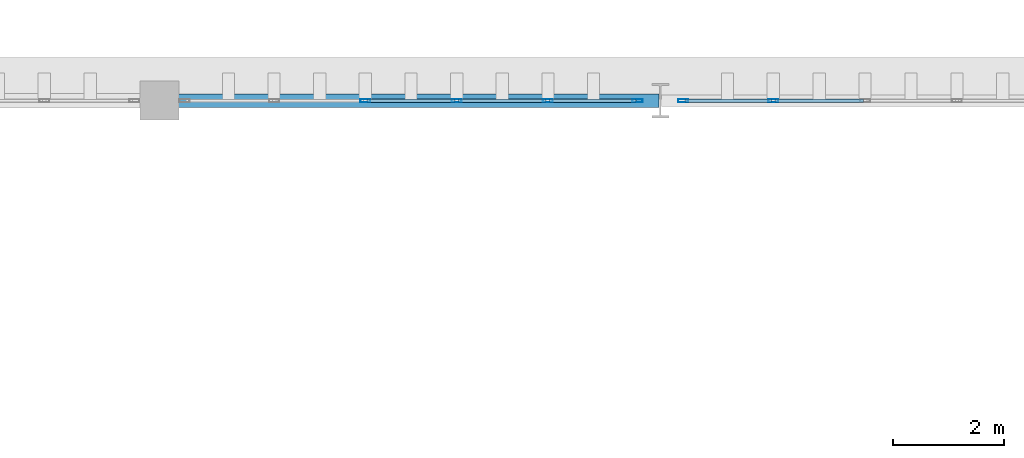
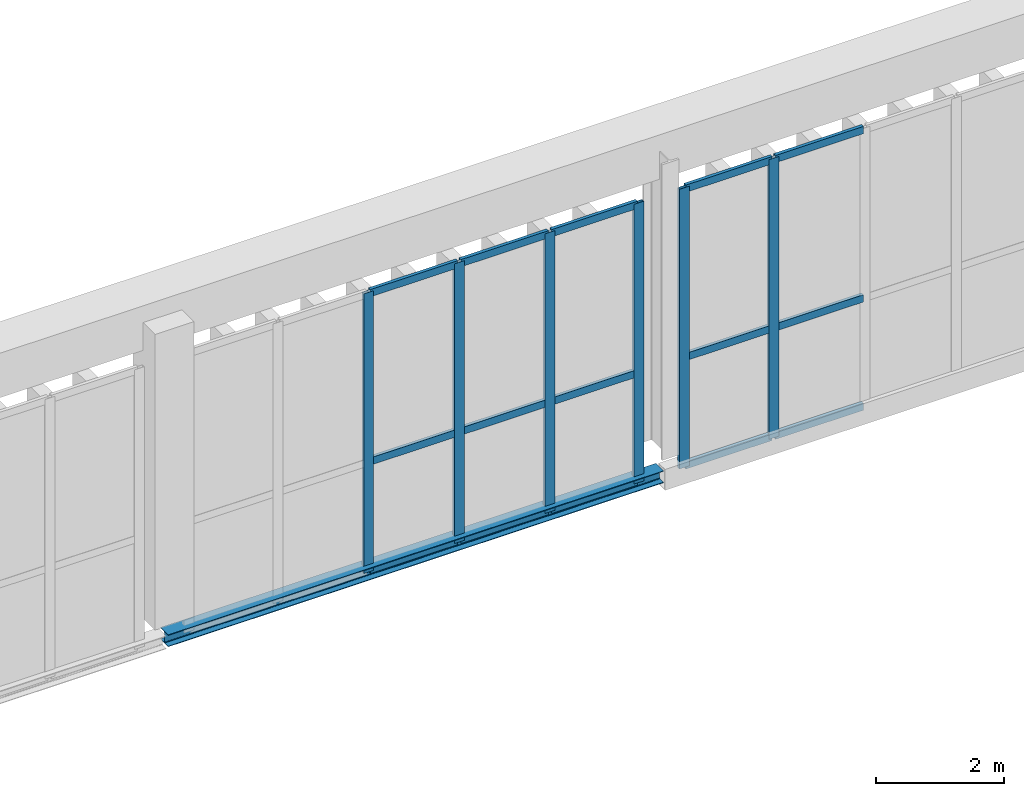
# One storey, part 175 of 237: 21 members, 1 beam, 2 elements without a shape of their own.
"""IFC4 building model written with IfcOpenShell, lengths in metres."""

from ifc_helpers import new_model, si_unit, direction, frame, origin, origin_2d, place, context, subcontext, project, spatial, hollow_rectangle, i_section, extrude, material, layer, layer_set, material_profile, profile_set, type_object, element, aggregate, save


model = new_model("IFC4")

# Units and contexts
model_context = context("Model", 3, precision=1e-05, world=origin(), true_north=direction((0.0, 1.0)))
body_context = subcontext(model_context, "Body", "Model", "MODEL_VIEW")
ifc_project = project(units=[si_unit("LENGTHUNIT", "METRE"), si_unit("AREAUNIT", "SQUARE_METRE"), si_unit("VOLUMEUNIT", "CUBIC_METRE"), si_unit("PLANEANGLEUNIT", "RADIAN"), si_unit("MASSUNIT", "GRAM", prefix="KILO")], contexts=[model_context])

# Site, building, storey
site_placement = place(None, origin())
site = spatial("IfcSite", under=ifc_project, at=site_placement, CompositionType="ELEMENT")
building_placement = place(site_placement, origin())
building = spatial("IfcBuilding", under=site, at=building_placement, Name="Barlavento Convention Centre", CompositionType="ELEMENT")
storey_placement = place(building_placement, frame((0.0, 0.0, 12.0)))
storey = spatial("IfcBuildingStorey", under=building, at=storey_placement, Name="L02", CompositionType="ELEMENT", Elevation=12.0)

# Curtain wall, members
ifc_material_1 = material(Name="Powder-coated aluminium and Low-E glass", Category="aluminium")
ifc_layer = layer(ifc_material_1, 0.18505859375)
ifc_layer_set = layer_set([ifc_layer], Name="ARC-CW-EXH-L02")
curtain_wall_type = type_object("IfcCurtainWallType", Name="ARC-CW-EXH-L02", PredefinedType="NOTDEFINED", material=ifc_layer_set)
curtain_wall_1_placement = place(storey_placement, origin())
curtain_wall_1 = element("IfcCurtainWall", 1, at=curtain_wall_1_placement, inside=storey, type_object=curtain_wall_type, Name="L02 unitised curtain wall CW05", PredefinedType="NOTDEFINED")
ifc_material_2 = material(Name="Powder-coated aluminium", Category="aluminium")
ifc_material_profile_1 = material_profile(ifc_material_2, hollow_rectangle(XDim=0.06005859375, YDim=0.179931640625, WallThickness=0.0048828125, at=origin_2d()), Name="AL-MULL 60x180x5")
ifc_profile_set_1 = profile_set([ifc_material_profile_1], Name="Powder-coated aluminium")
member_type_1 = type_object("IfcMemberType", Name="ARC-CWM-60X180", PredefinedType="MULLION", material=ifc_profile_set_1)
member_1_placement = place(storey_placement, frame((84.699951171875, 135.0, -0.5), z_axis=(0.0, 0.0, 1.0), x_axis=(0.0, 1.0, 0.0)))
member_1 = element("IfcMember", 2, at=member_1_placement, type_object=member_type_1, Name="CW05 mullion 3", PredefinedType="MULLION", context=body_context, shape_type="SweptSolid", body=[
    extrude(hollow_rectangle(XDim=0.06005859375, YDim=0.179931640625, WallThickness=0.0048828125, at=origin_2d()), origin(), (0.0, 0.0, 1.0), 5.35009765625),
])
member_2_placement = place(storey_placement, frame((86.340087890625, 135.0, -0.5), z_axis=(0.0, 0.0, 1.0), x_axis=(0.0, 1.0, 0.0)))
member_2 = element("IfcMember", 3, at=member_2_placement, type_object=member_type_1, Name="CW05 mullion 4", PredefinedType="MULLION", context=body_context, shape_type="SweptSolid", body=[
    extrude(hollow_rectangle(XDim=0.06005859375, YDim=0.179931640625, WallThickness=0.0048828125, at=origin_2d()), origin(), (0.0, 0.0, 1.0), 5.35009765625),
])
member_3_placement = place(storey_placement, frame((87.97998046875, 135.0, -0.5), z_axis=(0.0, 0.0, 1.0), x_axis=(0.0, 1.0, 0.0)))
member_3 = element("IfcMember", 4, at=member_3_placement, type_object=member_type_1, Name="CW05 mullion 5", PredefinedType="MULLION", context=body_context, shape_type="SweptSolid", body=[
    extrude(hollow_rectangle(XDim=0.06005859375, YDim=0.179931640625, WallThickness=0.0048828125, at=origin_2d()), origin(), (0.0, 0.0, 1.0), 5.35009765625),
])
member_4_placement = place(storey_placement, frame((89.590087890625, 135.0, -0.5), z_axis=(0.0, 0.0, 1.0), x_axis=(0.0, 1.0, 0.0)))
member_4 = element("IfcMember", 5, at=member_4_placement, type_object=member_type_1, Name="CW05 mullion 6", PredefinedType="MULLION", context=body_context, shape_type="SweptSolid", body=[
    extrude(hollow_rectangle(XDim=0.06005859375, YDim=0.179931640625, WallThickness=0.0048828125, at=origin_2d()), origin(), (0.0, 0.0, 1.0), 5.35009765625),
])

curtain_wall_2_placement = place(storey_placement, origin())
curtain_wall_2 = element("IfcCurtainWall", 6, at=curtain_wall_2_placement, inside=storey, type_object=curtain_wall_type, Name="L02 unitised curtain wall CW05", PredefinedType="NOTDEFINED")
member_5_placement = place(storey_placement, frame((90.409912109375, 135.0, -0.5), z_axis=(0.0, 0.0, 1.0), x_axis=(0.0, 1.0, 0.0)))
member_5 = element("IfcMember", 7, at=member_5_placement, type_object=member_type_1, Name="CW05 mullion 1", PredefinedType="MULLION", context=body_context, shape_type="SweptSolid", body=[
    extrude(hollow_rectangle(XDim=0.06005859375, YDim=0.179931640625, WallThickness=0.0048828125, at=origin_2d()), origin(), (0.0, 0.0, 1.0), 5.35009765625),
])
member_6_placement = place(storey_placement, frame((92.030029296875, 135.0, -0.5), z_axis=(0.0, 0.0, 1.0), x_axis=(0.0, 1.0, 0.0)))
member_6 = element("IfcMember", 8, at=member_6_placement, type_object=member_type_1, Name="CW05 mullion 2", PredefinedType="MULLION", context=body_context, shape_type="SweptSolid", body=[
    extrude(hollow_rectangle(XDim=0.06005859375, YDim=0.179931640625, WallThickness=0.0048828125, at=origin_2d()), origin(), (0.0, 0.0, 1.0), 5.35009765625),
])

# Member
ifc_material_profile_2 = material_profile(ifc_material_2, hollow_rectangle(XDim=0.06005859375, YDim=0.139892578125, WallThickness=0.00390625, at=origin_2d()), Name="AL-TRAN 60x140x4")
ifc_profile_set_2 = profile_set([ifc_material_profile_2], Name="Powder-coated aluminium")
member_type_2 = type_object("IfcMemberType", Name="ARC-CWT-60X140", PredefinedType="USERDEFINED", material=ifc_profile_set_2)
member_7_placement = place(storey_placement, frame((84.72998046875, 135.0, -0.469970703125), z_axis=(1.0, 0.0, 0.0), x_axis=(0.0, 1.0, 0.0)))
member_7 = element("IfcMember", 9, at=member_7_placement, type_object=member_type_2, Name="CW05 transom 3.1", ObjectType="TRANSOM", PredefinedType="USERDEFINED", context=body_context, shape_type="SweptSolid", body=[
    extrude(hollow_rectangle(XDim=0.06005859375, YDim=0.139892578125, WallThickness=0.00390625, at=origin_2d()), origin(), (0.0, 0.0, 1.0), 1.580078125),
])

member_8_placement = place(storey_placement, frame((84.72998046875, 135.0, 1.60009765625), z_axis=(1.0, 0.0, 0.0), x_axis=(0.0, 1.0, 0.0)))
member_8 = element("IfcMember", 10, at=member_8_placement, type_object=member_type_2, Name="CW05 transom 3.2", ObjectType="TRANSOM", PredefinedType="USERDEFINED", context=body_context, shape_type="SweptSolid", body=[
    extrude(hollow_rectangle(XDim=0.06005859375, YDim=0.139892578125, WallThickness=0.00390625, at=origin_2d()), origin(), (0.0, 0.0, 1.0), 1.580078125),
])

member_9_placement = place(storey_placement, frame((84.72998046875, 135.0, 4.820068359375), z_axis=(1.0, 0.0, 0.0), x_axis=(0.0, 1.0, 0.0)))
member_9 = element("IfcMember", 11, at=member_9_placement, type_object=member_type_2, Name="CW05 transom 3.3", ObjectType="TRANSOM", PredefinedType="USERDEFINED", context=body_context, shape_type="SweptSolid", body=[
    extrude(hollow_rectangle(XDim=0.06005859375, YDim=0.139892578125, WallThickness=0.00390625, at=origin_2d()), origin(), (0.0, 0.0, 1.0), 1.580078125),
])

member_10_placement = place(storey_placement, frame((86.3701171875, 135.0, -0.469970703125), z_axis=(1.0, 0.0, 0.0), x_axis=(0.0, 1.0, 0.0)))
member_10 = element("IfcMember", 12, at=member_10_placement, type_object=member_type_2, Name="CW05 transom 4.1", ObjectType="TRANSOM", PredefinedType="USERDEFINED", context=body_context, shape_type="SweptSolid", body=[
    extrude(hollow_rectangle(XDim=0.06005859375, YDim=0.139892578125, WallThickness=0.00390625, at=origin_2d()), origin(), (0.0, 0.0, 1.0), 1.579833984375),
])

member_11_placement = place(storey_placement, frame((86.3701171875, 135.0, 1.60009765625), z_axis=(1.0, 0.0, 0.0), x_axis=(0.0, 1.0, 0.0)))
member_11 = element("IfcMember", 13, at=member_11_placement, type_object=member_type_2, Name="CW05 transom 4.2", ObjectType="TRANSOM", PredefinedType="USERDEFINED", context=body_context, shape_type="SweptSolid", body=[
    extrude(hollow_rectangle(XDim=0.06005859375, YDim=0.139892578125, WallThickness=0.00390625, at=origin_2d()), origin(), (0.0, 0.0, 1.0), 1.579833984375),
])

member_12_placement = place(storey_placement, frame((86.3701171875, 135.0, 4.820068359375), z_axis=(1.0, 0.0, 0.0), x_axis=(0.0, 1.0, 0.0)))
member_12 = element("IfcMember", 14, at=member_12_placement, type_object=member_type_2, Name="CW05 transom 4.3", ObjectType="TRANSOM", PredefinedType="USERDEFINED", context=body_context, shape_type="SweptSolid", body=[
    extrude(hollow_rectangle(XDim=0.06005859375, YDim=0.139892578125, WallThickness=0.00390625, at=origin_2d()), origin(), (0.0, 0.0, 1.0), 1.579833984375),
])

member_13_placement = place(storey_placement, frame((88.010009765625, 135.0, -0.469970703125), z_axis=(1.0, 0.0, 0.0), x_axis=(0.0, 1.0, 0.0)))
member_13 = element("IfcMember", 15, at=member_13_placement, type_object=member_type_2, Name="CW05 transom 5.1", ObjectType="TRANSOM", PredefinedType="USERDEFINED", context=body_context, shape_type="SweptSolid", body=[
    extrude(hollow_rectangle(XDim=0.06005859375, YDim=0.139892578125, WallThickness=0.00390625, at=origin_2d()), origin(), (0.0, 0.0, 1.0), 1.550048828125),
])

member_14_placement = place(storey_placement, frame((88.010009765625, 135.0, 1.60009765625), z_axis=(1.0, 0.0, 0.0), x_axis=(0.0, 1.0, 0.0)))
member_14 = element("IfcMember", 16, at=member_14_placement, type_object=member_type_2, Name="CW05 transom 5.2", ObjectType="TRANSOM", PredefinedType="USERDEFINED", context=body_context, shape_type="SweptSolid", body=[
    extrude(hollow_rectangle(XDim=0.06005859375, YDim=0.139892578125, WallThickness=0.00390625, at=origin_2d()), origin(), (0.0, 0.0, 1.0), 1.550048828125),
])

member_15_placement = place(storey_placement, frame((88.010009765625, 135.0, 4.820068359375), z_axis=(1.0, 0.0, 0.0), x_axis=(0.0, 1.0, 0.0)))
member_15 = element("IfcMember", 17, at=member_15_placement, type_object=member_type_2, Name="CW05 transom 5.3", ObjectType="TRANSOM", PredefinedType="USERDEFINED", context=body_context, shape_type="SweptSolid", body=[
    extrude(hollow_rectangle(XDim=0.06005859375, YDim=0.139892578125, WallThickness=0.00390625, at=origin_2d()), origin(), (0.0, 0.0, 1.0), 1.550048828125),
])

aggregate(curtain_wall_1, [member_1, member_2, member_3, member_4, member_7, member_8, member_9, member_10, member_11, member_12, member_13, member_14, member_15])

member_16_placement = place(storey_placement, frame((90.43994140625, 135.0, -0.469970703125), z_axis=(1.0, 0.0, 0.0), x_axis=(0.0, 1.0, 0.0)))
member_16 = element("IfcMember", 18, at=member_16_placement, type_object=member_type_2, Name="CW05 transom 1.1", ObjectType="TRANSOM", PredefinedType="USERDEFINED", context=body_context, shape_type="SweptSolid", body=[
    extrude(hollow_rectangle(XDim=0.06005859375, YDim=0.139892578125, WallThickness=0.00390625, at=origin_2d()), origin(), (0.0, 0.0, 1.0), 1.56005859375),
])

member_17_placement = place(storey_placement, frame((90.43994140625, 135.0, 1.60009765625), z_axis=(1.0, 0.0, 0.0), x_axis=(0.0, 1.0, 0.0)))
member_17 = element("IfcMember", 19, at=member_17_placement, type_object=member_type_2, Name="CW05 transom 1.2", ObjectType="TRANSOM", PredefinedType="USERDEFINED", context=body_context, shape_type="SweptSolid", body=[
    extrude(hollow_rectangle(XDim=0.06005859375, YDim=0.139892578125, WallThickness=0.00390625, at=origin_2d()), origin(), (0.0, 0.0, 1.0), 1.56005859375),
])

member_18_placement = place(storey_placement, frame((90.43994140625, 135.0, 4.820068359375), z_axis=(1.0, 0.0, 0.0), x_axis=(0.0, 1.0, 0.0)))
member_18 = element("IfcMember", 20, at=member_18_placement, type_object=member_type_2, Name="CW05 transom 1.3", ObjectType="TRANSOM", PredefinedType="USERDEFINED", context=body_context, shape_type="SweptSolid", body=[
    extrude(hollow_rectangle(XDim=0.06005859375, YDim=0.139892578125, WallThickness=0.00390625, at=origin_2d()), origin(), (0.0, 0.0, 1.0), 1.56005859375),
])

member_19_placement = place(storey_placement, frame((92.06005859375, 135.0, -0.469970703125), z_axis=(1.0, 0.0, 0.0), x_axis=(0.0, 1.0, 0.0)))
member_19 = element("IfcMember", 21, at=member_19_placement, type_object=member_type_2, Name="CW05 transom 2.1", ObjectType="TRANSOM", PredefinedType="USERDEFINED", context=body_context, shape_type="SweptSolid", body=[
    extrude(hollow_rectangle(XDim=0.06005859375, YDim=0.139892578125, WallThickness=0.00390625, at=origin_2d()), origin(), (0.0, 0.0, 1.0), 1.58984375),
])

member_20_placement = place(storey_placement, frame((92.06005859375, 135.0, 1.60009765625), z_axis=(1.0, 0.0, 0.0), x_axis=(0.0, 1.0, 0.0)))
member_20 = element("IfcMember", 22, at=member_20_placement, type_object=member_type_2, Name="CW05 transom 2.2", ObjectType="TRANSOM", PredefinedType="USERDEFINED", context=body_context, shape_type="SweptSolid", body=[
    extrude(hollow_rectangle(XDim=0.06005859375, YDim=0.139892578125, WallThickness=0.00390625, at=origin_2d()), origin(), (0.0, 0.0, 1.0), 1.58984375),
])

member_21_placement = place(storey_placement, frame((92.06005859375, 135.0, 4.820068359375), z_axis=(1.0, 0.0, 0.0), x_axis=(0.0, 1.0, 0.0)))
member_21 = element("IfcMember", 23, at=member_21_placement, type_object=member_type_2, Name="CW05 transom 2.3", ObjectType="TRANSOM", PredefinedType="USERDEFINED", context=body_context, shape_type="SweptSolid", body=[
    extrude(hollow_rectangle(XDim=0.06005859375, YDim=0.139892578125, WallThickness=0.00390625, at=origin_2d()), origin(), (0.0, 0.0, 1.0), 1.58984375),
])

aggregate(curtain_wall_2, [member_5, member_6, member_16, member_17, member_18, member_19, member_20, member_21])

# Beam
ifc_material_3 = material(Name="Steel S355", Category="steel")
ifc_material_profile_3 = material_profile(ifc_material_3, i_section(OverallWidth=0.239990234375, OverallDepth=0.22998046875, WebThickness=0.007568359375, FlangeThickness=0.011962890625, FilletRadius=0.02099609375, at=origin_2d()), Name="HEA 240")
ifc_profile_set_3 = profile_set([ifc_material_profile_3], Name="Steel S355")
beam_type = type_object("IfcBeamType", Name="STR-BM-SPN-HEA240", PredefinedType="SPANDREL", material=ifc_profile_set_3)
beam_placement = place(storey_placement, frame((81.02001953125, 135.0, -0.47509765625), z_axis=(1.0, 0.0, 0.0), x_axis=(0.0, 1.0, 0.0)))
element("IfcBeam", 24, at=beam_placement, inside=storey, type_object=beam_type, Name="L02 primary girder SP05", PredefinedType="SPANDREL", context=body_context, shape_type="SweptSolid", body=[
    extrude(i_section(OverallWidth=0.239990234375, OverallDepth=0.22998046875, WebThickness=0.007568359375, FlangeThickness=0.011962890625, FilletRadius=0.02099609375, at=origin_2d()), origin(), (0.0, 0.0, 1.0), 8.9599609375),
])

save(model, "model.ifc")
